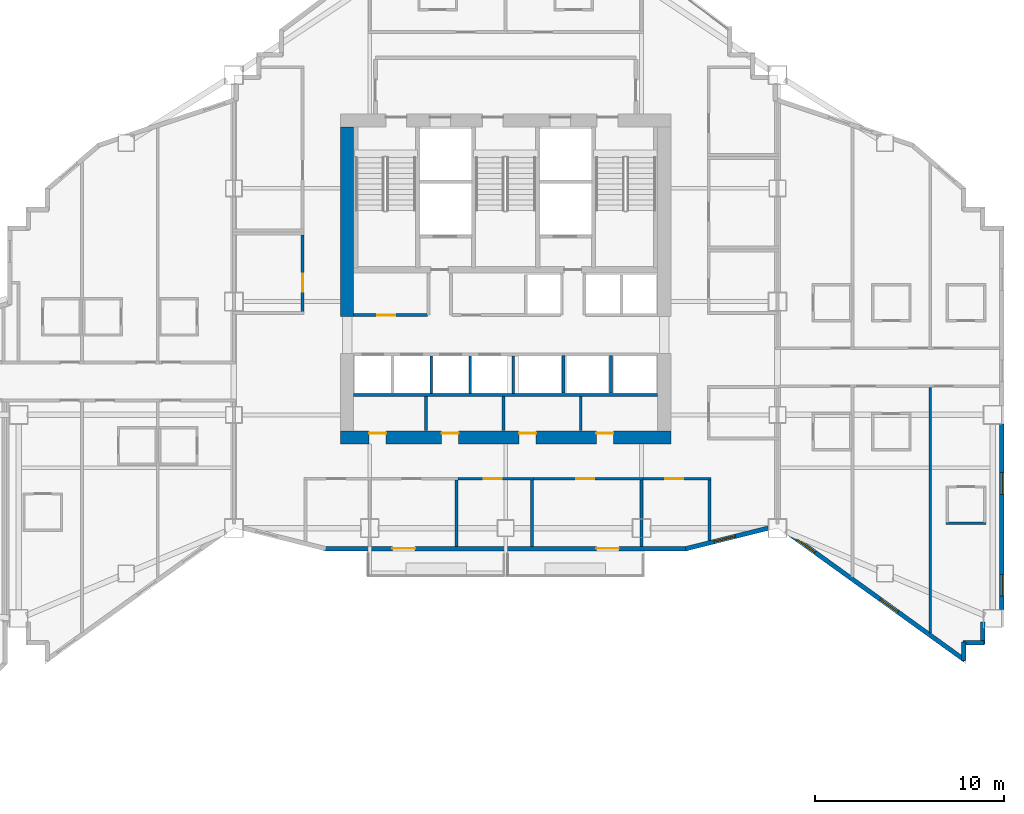
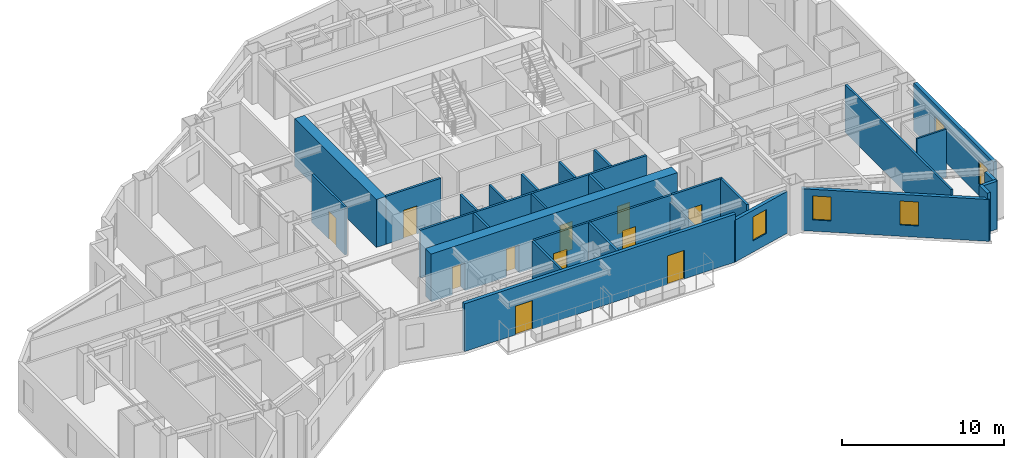
# One storey, part 8 of 14: 29 walls, 11 doors, 5 windows, 16 openings.
"""IFC4 building model written with IfcOpenShell, lengths in metres."""

from ifc_helpers import new_model, si_unit, direction, frame, frame_2d, origin, place, context, subcontext, project, spatial, rectangle, extrude, material, layer, layer_set, type_object, element, fill, save


model = new_model("IFC4")

# Units and contexts
model_context = context("Model", 3, precision=1e-05, world=origin(), true_north=direction((0.0, 1.0)))
body_context = subcontext(model_context, "Body", "Model", "MODEL_VIEW")
ifc_project = project(units=[si_unit("LENGTHUNIT", "METRE"), si_unit("AREAUNIT", "SQUARE_METRE"), si_unit("VOLUMEUNIT", "CUBIC_METRE"), si_unit("PLANEANGLEUNIT", "RADIAN"), si_unit("MASSUNIT", "GRAM", prefix="KILO")], contexts=[model_context])

# Site, building, storey
site_placement = place(None, origin())
site = spatial("IfcSite", under=ifc_project, at=site_placement, CompositionType="ELEMENT")
building_placement = place(site_placement, origin())
building = spatial("IfcBuilding", under=site, at=building_placement, Name="Haolan Belvedere Tower", CompositionType="ELEMENT")
storey_placement = place(building_placement, frame((0.0, 0.0, 121.199951171875)))
storey = spatial("IfcBuildingStorey", under=building, at=storey_placement, Name="L30", CompositionType="ELEMENT", Elevation=121.199951171875)

# Wall, openings, doors
ifc_material_1 = material(Name="Concrete C60/75", Category="concrete")
ifc_layer_1 = layer(ifc_material_1, 0.699951171875, Name="Concrete C60/75")
ifc_layer_set_1 = layer_set([ifc_layer_1], Name="Concrete C60/75")
wall_type_1 = type_object("IfcWallType", Name="WL-CORE-700", PredefinedType="SHEAR", material=ifc_layer_set_1)
wall_1_placement = place(storey_placement, frame((29.64990234375, 26.39990234375, 0.0), z_axis=(0.0, 0.0, 1.0), x_axis=(1.0, 0.0, 0.0)))
wall_1 = element("IfcWall", 1, at=wall_1_placement, inside=storey, type_object=wall_type_1, Name="L30 central core south shear wall", PredefinedType="SHEAR", context=body_context, shape_type="SweptSolid", body=[
    extrude(rectangle(XDim=17.5, YDim=0.699951171875, at=frame_2d((8.75, 0.0))), origin(), (0.0, 0.0, 1.0), 3.60009765625),
])
opening_1_placement = place(wall_1_placement, frame((2.419921875, 0.0, 0.0), z_axis=(0.0, 0.0, 1.0), x_axis=(-1.0, 0.0, 0.0)))
opening_1 = element("IfcOpeningElement", 2, at=opening_1_placement, cuts=wall_1, Name="Opening FD-05", PredefinedType="OPENING", context=body_context, shape_type="SweptSolid", body=[
    extrude(rectangle(XDim=0.89990234375, YDim=2.10009765625, at=frame_2d((0.449951171875, 1.050048828125))), frame((0.0, 0.35986328125, 0.0), z_axis=(0.0, -1.0, 0.0), x_axis=(1.0, 0.0, 0.0)), (0.0, 0.0, 1.0), 0.719970703125),
])
opening_2_placement = place(wall_1_placement, frame((6.260009765625, 0.0, 0.0), z_axis=(0.0, 0.0, 1.0), x_axis=(-1.0, 0.0, 0.0)))
opening_2 = element("IfcOpeningElement", 3, at=opening_2_placement, cuts=wall_1, Name="Opening FD-05", PredefinedType="OPENING", context=body_context, shape_type="SweptSolid", body=[
    extrude(rectangle(XDim=0.89990234375, YDim=2.10009765625, at=frame_2d((0.449951171875, 1.050048828125))), frame((0.0, 0.35986328125, 0.0), z_axis=(0.0, -1.0, 0.0), x_axis=(1.0, 0.0, 0.0)), (0.0, 0.0, 1.0), 0.719970703125),
])
opening_3_placement = place(wall_1_placement, frame((10.35986328125, 0.0, 0.0), z_axis=(0.0, 0.0, 1.0), x_axis=(-1.0, 0.0, 0.0)))
opening_3 = element("IfcOpeningElement", 4, at=opening_3_placement, cuts=wall_1, Name="Opening FD-05", PredefinedType="OPENING", context=body_context, shape_type="SweptSolid", body=[
    extrude(rectangle(XDim=0.89990234375, YDim=2.10009765625, at=frame_2d((0.449951171875, 1.050048828125))), frame((0.0, 0.35986328125, 0.0), z_axis=(0.0, -1.0, 0.0), x_axis=(1.0, 0.0, 0.0)), (0.0, 0.0, 1.0), 0.719970703125),
])
opening_4_placement = place(wall_1_placement, frame((14.4599609375, 0.0, 0.0), z_axis=(0.0, 0.0, 1.0), x_axis=(-1.0, 0.0, 0.0)))
opening_4 = element("IfcOpeningElement", 5, at=opening_4_placement, cuts=wall_1, Name="Opening FD-05", PredefinedType="OPENING", context=body_context, shape_type="SweptSolid", body=[
    extrude(rectangle(XDim=0.89990234375, YDim=2.10009765625, at=frame_2d((0.449951171875, 1.050048828125))), frame((0.0, 0.35986328125, 0.0), z_axis=(0.0, -1.0, 0.0), x_axis=(1.0, 0.0, 0.0)), (0.0, 0.0, 1.0), 0.719970703125),
])
ifc_material_2 = material(Name="Galvanised fire-rated steel", Category="steel")
door_type_1 = type_object("IfcDoorType", Name="DR-FD60-900", OperationType="NOTDEFINED", PredefinedType="DOOR", material=ifc_material_2)
door_1_placement = place(opening_1_placement, origin())
door_1 = element("IfcDoor", 6, at=door_1_placement, inside=storey, type_object=door_type_1, Name="L30 door CD-L30-SCV-1", OperationType="SINGLE_SWING_LEFT", OverallHeight=2.10009765625, OverallWidth=0.89990234375, PredefinedType="DOOR", context=body_context, shape_type="SweptSolid", body=[
    extrude(rectangle(XDim=0.89990234375, YDim=2.10009765625, at=frame_2d((0.449951171875, 1.050048828125))), frame((0.0, -0.19482421875, 0.0), z_axis=(0.0, -1.0, 0.0), x_axis=(1.0, 0.0, 0.0)), (0.0, 0.0, 1.0), 0.050048828125),
])
fill(opening_1, door_1)
door_2_placement = place(opening_2_placement, origin())
door_2 = element("IfcDoor", 7, at=door_2_placement, inside=storey, type_object=door_type_1, Name="L30 door CD-L30-SCV-2", OperationType="SINGLE_SWING_RIGHT", OverallHeight=2.10009765625, OverallWidth=0.89990234375, PredefinedType="DOOR", context=body_context, shape_type="SweptSolid", body=[
    extrude(rectangle(XDim=0.89990234375, YDim=2.10009765625, at=frame_2d((0.449951171875, 1.050048828125))), frame((0.0, -0.19482421875, 0.0), z_axis=(0.0, -1.0, 0.0), x_axis=(1.0, 0.0, 0.0)), (0.0, 0.0, 1.0), 0.050048828125),
])
fill(opening_2, door_2)
door_3_placement = place(opening_3_placement, origin())
door_3 = element("IfcDoor", 8, at=door_3_placement, inside=storey, type_object=door_type_1, Name="L30 door CD-L30-SCV-3", OperationType="SINGLE_SWING_LEFT", OverallHeight=2.10009765625, OverallWidth=0.89990234375, PredefinedType="DOOR", context=body_context, shape_type="SweptSolid", body=[
    extrude(rectangle(XDim=0.89990234375, YDim=2.10009765625, at=frame_2d((0.449951171875, 1.050048828125))), frame((0.0, -0.19482421875, 0.0), z_axis=(0.0, -1.0, 0.0), x_axis=(1.0, 0.0, 0.0)), (0.0, 0.0, 1.0), 0.050048828125),
])
fill(opening_3, door_3)
door_4_placement = place(opening_4_placement, origin())
door_4 = element("IfcDoor", 9, at=door_4_placement, inside=storey, type_object=door_type_1, Name="L30 door CD-L30-SCV-4", OperationType="SINGLE_SWING_RIGHT", OverallHeight=2.10009765625, OverallWidth=0.89990234375, PredefinedType="DOOR", context=body_context, shape_type="SweptSolid", body=[
    extrude(rectangle(XDim=0.89990234375, YDim=2.10009765625, at=frame_2d((0.449951171875, 1.050048828125))), frame((0.0, -0.19482421875, 0.0), z_axis=(0.0, -1.0, 0.0), x_axis=(1.0, 0.0, 0.0)), (0.0, 0.0, 1.0), 0.050048828125),
])
fill(opening_4, door_4)

# Wall
wall_2_placement = place(storey_placement, frame((30.0, 32.800048828125, 0.0), z_axis=(0.0, 0.0, 1.0), x_axis=(0.0, 1.0, 0.0)))
element("IfcWall", 10, at=wall_2_placement, inside=storey, type_object=wall_type_1, Name="L30 central core shear wall WN", PredefinedType="SHEAR", context=body_context, shape_type="SweptSolid", body=[
    extrude(rectangle(XDim=10.050048828125, YDim=0.699951171875, at=frame_2d((5.02490234375, 0.0))), origin(), (0.0, 0.0, 1.0), 3.60009765625),
])

# Wall, openings, doors
ifc_material_3 = material(Name="Precast concrete C40/50", Category="concrete")
ifc_layer_2 = layer(ifc_material_3, 0.239990234375, Name="Precast concrete C40/50")
ifc_layer_set_2 = layer_set([ifc_layer_2], Name="Precast concrete C40/50")
wall_type_2 = type_object("IfcWallType", Name="WL-EXT-240", PredefinedType="SOLIDWALL", material=ifc_layer_set_2)
wall_3_placement = place(storey_placement, frame((28.759765625, 20.52001953125, 0.0), z_axis=(0.0, 0.0, 1.0), x_axis=(1.0, 0.0, 0.0)))
wall_3 = element("IfcWall", 11, at=wall_3_placement, inside=storey, type_object=wall_type_2, Name="L30 pale-metal exterior spandrel wall 7.1", PredefinedType="SOLIDWALL", context=body_context, shape_type="SweptSolid", body=[
    extrude(rectangle(XDim=19.280517578125, YDim=0.239990234375, at=frame_2d((9.64013671875, 0.0))), origin(), (0.0, 0.0, 1.0), 3.60009765625),
])
opening_5_placement = place(wall_3_placement, frame((4.840087890625, 0.0, 0.0), z_axis=(0.0, 0.0, 1.0), x_axis=(-1.0, 0.0, 0.0)))
opening_5 = element("IfcOpeningElement", 12, at=opening_5_placement, cuts=wall_3, Name="Opening BD-01", PredefinedType="OPENING", context=body_context, shape_type="SweptSolid", body=[
    extrude(rectangle(XDim=1.199951171875, YDim=2.14990234375, at=frame_2d((0.60009765625, 1.074951171875))), frame((0.0, 0.1298828125, 0.0), z_axis=(0.0, -1.0, 0.0), x_axis=(1.0, 0.0, 0.0)), (0.0, 0.0, 1.0), 0.260009765625),
])
opening_6_placement = place(wall_3_placement, frame((15.64013671875, 0.0, 0.0), z_axis=(0.0, 0.0, 1.0), x_axis=(-1.0, 0.0, 0.0)))
opening_6 = element("IfcOpeningElement", 13, at=opening_6_placement, cuts=wall_3, Name="Opening BD-01", PredefinedType="OPENING", context=body_context, shape_type="SweptSolid", body=[
    extrude(rectangle(XDim=1.199951171875, YDim=2.14990234375, at=frame_2d((0.60009765625, 1.074951171875))), frame((0.0, 0.1298828125, 0.0), z_axis=(0.0, -1.0, 0.0), x_axis=(1.0, 0.0, 0.0)), (0.0, 0.0, 1.0), 0.260009765625),
])
ifc_material_4 = material(Name="Thermally broken pale-metal aluminium and Low-E glass", Category="aluminium")
door_type_2 = type_object("IfcDoorType", Name="DR-BAL-1200", OperationType="NOTDEFINED", PredefinedType="DOOR", material=ifc_material_4)
door_5_placement = place(opening_5_placement, origin())
door_5 = element("IfcDoor", 14, at=door_5_placement, inside=storey, type_object=door_type_2, Name="L30 tree-balcony access door 1", OperationType="SINGLE_SWING_RIGHT", OverallHeight=2.14990234375, OverallWidth=1.199951171875, PredefinedType="DOOR", context=body_context, shape_type="SweptSolid", body=[
    extrude(rectangle(XDim=1.199951171875, YDim=2.14990234375, at=frame_2d((0.60009765625, 1.074951171875))), frame((0.0, 0.02490234375, 0.0), z_axis=(0.0, -1.0, 0.0), x_axis=(1.0, 0.0, 0.0)), (0.0, 0.0, 1.0), 0.050048828125),
])
fill(opening_5, door_5)
door_6_placement = place(opening_6_placement, origin())
door_6 = element("IfcDoor", 15, at=door_6_placement, inside=storey, type_object=door_type_2, Name="L30 tree-balcony access door 2", OperationType="SINGLE_SWING_LEFT", OverallHeight=2.14990234375, OverallWidth=1.199951171875, PredefinedType="DOOR", context=body_context, shape_type="SweptSolid", body=[
    extrude(rectangle(XDim=1.199951171875, YDim=2.14990234375, at=frame_2d((0.60009765625, 1.074951171875))), frame((0.0, 0.02490234375, 0.0), z_axis=(0.0, -1.0, 0.0), x_axis=(1.0, 0.0, 0.0)), (0.0, 0.0, 1.0), 0.050048828125),
])
fill(opening_6, door_6)

# Wall, opening, window
wall_4_placement = place(storey_placement, frame((47.931884765625, 20.506591796875, 0.0), z_axis=(0.0, 0.0, 1.0), x_axis=(0.970145683738, 0.242522890311, 0.0)))
wall_4 = element("IfcWall", 16, at=wall_4_placement, inside=storey, type_object=wall_type_2, Name="L30 pale-metal exterior spandrel wall 8.1", PredefinedType="SOLIDWALL", context=body_context, shape_type="SweptSolid", body=[
    extrude(rectangle(XDim=4.510986328125, YDim=0.239990234375, at=frame_2d((2.25537109375, 0.0))), origin(), (0.0, 0.0, 1.0), 3.14501953125),
])
opening_7_placement = place(wall_4_placement, frame((1.568603515625, 0.0, 0.85009765625)))
opening_7 = element("IfcOpeningElement", 17, at=opening_7_placement, cuts=wall_4, Name="Opening W-02", PredefinedType="OPENING", context=body_context, shape_type="SweptSolid", body=[
    extrude(rectangle(XDim=1.14990234375, YDim=1.800048828125, at=frame_2d((0.574951171875, 0.89990234375))), frame((0.0, 0.1298828125, 0.0), z_axis=(0.0, -1.0, 0.0), x_axis=(1.0, 0.0, 0.0)), (0.0, 0.0, 1.0), 0.260009765625),
])
ifc_material_5 = material(Name="Anodised aluminium 6063-T6 and Low-E glass", Category="aluminium")
window_type = type_object("IfcWindowType", Name="WN-DECO-Z2", PartitioningType="SINGLE_PANEL", PredefinedType="WINDOW", material=ifc_material_5)
window_1_placement = place(opening_7_placement, origin())
window_1 = element("IfcWindow", 18, at=window_1_placement, inside=storey, type_object=window_type, Name="L30 Art Deco chevron window 1", OverallHeight=1.800048828125, OverallWidth=1.14990234375, PartitioningType="SINGLE_PANEL", PredefinedType="WINDOW", context=body_context, shape_type="SweptSolid", body=[
    extrude(rectangle(XDim=1.14990234375, YDim=1.800048828125, at=frame_2d((0.574951171875, 0.89990234375))), frame((0.0, 0.030029296875, 0.0), z_axis=(0.0, -1.0, 0.0), x_axis=(1.0, 0.0, 0.0)), (0.0, 0.0, 1.0), 0.06005859375),
])
fill(opening_7, window_1)

# Wall, openings, windows
wall_5_placement = place(storey_placement, frame((53.2919921875, 21.3935546875, 0.0), z_axis=(0.0, 0.0, 1.0), x_axis=(0.811543504691, -0.584291998913, 0.0)))
wall_5 = element("IfcWall", 19, at=wall_5_placement, inside=storey, type_object=wall_type_2, Name="L30 pale-metal exterior spandrel wall 9.1", PredefinedType="SOLIDWALL", context=body_context, shape_type="SweptSolid", body=[
    extrude(rectangle(XDim=11.623046875, YDim=0.239990234375, at=frame_2d((5.8115234375, 0.0))), origin(), (0.0, 0.0, 1.0), 3.14501953125),
])
opening_8_placement = place(wall_5_placement, frame((0.699951171875, 0.0, 0.85009765625)))
opening_8 = element("IfcOpeningElement", 20, at=opening_8_placement, cuts=wall_5, Name="Opening W-02", PredefinedType="OPENING", context=body_context, shape_type="SweptSolid", body=[
    extrude(rectangle(XDim=1.14990234375, YDim=1.800048828125, at=frame_2d((0.574951171875, 0.89990234375))), frame((0.0, 0.1298828125, 0.0), z_axis=(0.0, -1.0, 0.0), x_axis=(1.0, 0.0, 0.0)), (0.0, 0.0, 1.0), 0.260009765625),
])
opening_9_placement = place(wall_5_placement, frame((6.10009765625, 0.0, 0.85009765625)))
opening_9 = element("IfcOpeningElement", 21, at=opening_9_placement, cuts=wall_5, Name="Opening W-02", PredefinedType="OPENING", context=body_context, shape_type="SweptSolid", body=[
    extrude(rectangle(XDim=1.14990234375, YDim=1.800048828125, at=frame_2d((0.574951171875, 0.89990234375))), frame((0.0, 0.1298828125, 0.0), z_axis=(0.0, -1.0, 0.0), x_axis=(1.0, 0.0, 0.0)), (0.0, 0.0, 1.0), 0.260009765625),
])
window_2_placement = place(opening_8_placement, origin())
window_2 = element("IfcWindow", 22, at=window_2_placement, inside=storey, type_object=window_type, Name="L30 Art Deco chevron window 1", OverallHeight=1.800048828125, OverallWidth=1.14990234375, PartitioningType="SINGLE_PANEL", PredefinedType="WINDOW", context=body_context, shape_type="SweptSolid", body=[
    extrude(rectangle(XDim=1.14990234375, YDim=1.800048828125, at=frame_2d((0.574951171875, 0.89990234375))), frame((0.0, 0.030029296875, 0.0), z_axis=(0.0, -1.0, 0.0), x_axis=(1.0, 0.0, 0.0)), (0.0, 0.0, 1.0), 0.06005859375),
])
fill(opening_8, window_2)
window_3_placement = place(opening_9_placement, origin())
window_3 = element("IfcWindow", 23, at=window_3_placement, inside=storey, type_object=window_type, Name="L30 Art Deco chevron window 2", OverallHeight=1.800048828125, OverallWidth=1.14990234375, PartitioningType="SINGLE_PANEL", PredefinedType="WINDOW", context=body_context, shape_type="SweptSolid", body=[
    extrude(rectangle(XDim=1.14990234375, YDim=1.800048828125, at=frame_2d((0.574951171875, 0.89990234375))), frame((0.0, 0.030029296875, 0.0), z_axis=(0.0, -1.0, 0.0), x_axis=(1.0, 0.0, 0.0)), (0.0, 0.0, 1.0), 0.06005859375),
])
fill(opening_9, window_3)

# Walls
wall_6_placement = place(storey_placement, frame((62.679931640625, 14.579345703125, 0.0), z_axis=(0.0, 0.0, 1.0), x_axis=(0.0, 1.0, 0.0)))
element("IfcWall", 24, at=wall_6_placement, inside=storey, type_object=wall_type_2, Name="L30 pale-metal exterior spandrel wall 10.1", PredefinedType="SOLIDWALL", context=body_context, shape_type="SweptSolid", body=[
    extrude(rectangle(XDim=0.99560546875, YDim=0.239990234375, at=frame_2d((0.497802734375, 0.0))), origin(), (0.0, 0.0, 1.0), 3.60009765625),
])
wall_7_placement = place(storey_placement, frame((62.625, 15.52001953125, 0.0), z_axis=(0.0, 0.0, 1.0), x_axis=(1.0, 0.0, 0.0)))
element("IfcWall", 25, at=wall_7_placement, inside=storey, type_object=wall_type_2, Name="L30 pale-metal exterior spandrel wall 11.1", PredefinedType="SOLIDWALL", context=body_context, shape_type="SweptSolid", body=[
    extrude(rectangle(XDim=1.110107421875, YDim=0.239990234375, at=frame_2d((0.55517578125, 0.0))), origin(), (0.0, 0.0, 1.0), 3.60009765625),
])
wall_8_placement = place(storey_placement, frame((63.679931640625, 15.465087890625, 0.0), z_axis=(0.0, 0.0, 1.0), x_axis=(0.0, 1.0, 0.0)))
element("IfcWall", 26, at=wall_8_placement, inside=storey, type_object=wall_type_2, Name="L30 pale-metal exterior spandrel wall 12.1", PredefinedType="SOLIDWALL", context=body_context, shape_type="SweptSolid", body=[
    extrude(rectangle(XDim=1.1748046875, YDim=0.239990234375, at=frame_2d((0.58740234375, 0.0))), origin(), (0.0, 0.0, 1.0), 3.60009765625),
])

# Wall, openings, windows
wall_9_placement = place(storey_placement, frame((64.679931640625, 17.2919921875, 0.0), z_axis=(0.0, 0.0, 1.0), x_axis=(0.0, 1.0, 0.0)))
wall_9 = element("IfcWall", 27, at=wall_9_placement, inside=storey, type_object=wall_type_2, Name="L30 pale-metal exterior spandrel wall 14.1", PredefinedType="SOLIDWALL", context=body_context, shape_type="SweptSolid", body=[
    extrude(rectangle(XDim=9.81591796875, YDim=0.239990234375, at=frame_2d((4.907958984375, 0.0))), origin(), (0.0, 0.0, 1.0), 3.60009765625),
])
opening_10_placement = place(wall_9_placement, frame((0.699951171875, 0.0, 0.85009765625)))
opening_10 = element("IfcOpeningElement", 28, at=opening_10_placement, cuts=wall_9, Name="Opening W-02", PredefinedType="OPENING", context=body_context, shape_type="SweptSolid", body=[
    extrude(rectangle(XDim=1.14990234375, YDim=1.800048828125, at=frame_2d((0.574951171875, 0.89990234375))), frame((0.0, 0.1298828125, 0.0), z_axis=(0.0, -1.0, 0.0), x_axis=(1.0, 0.0, 0.0)), (0.0, 0.0, 1.0), 0.260009765625),
])
opening_11_placement = place(wall_9_placement, frame((6.10009765625, 0.0, 0.85009765625)))
opening_11 = element("IfcOpeningElement", 29, at=opening_11_placement, cuts=wall_9, Name="Opening W-02", PredefinedType="OPENING", context=body_context, shape_type="SweptSolid", body=[
    extrude(rectangle(XDim=1.14990234375, YDim=1.800048828125, at=frame_2d((0.574951171875, 0.89990234375))), frame((0.0, 0.1298828125, 0.0), z_axis=(0.0, -1.0, 0.0), x_axis=(1.0, 0.0, 0.0)), (0.0, 0.0, 1.0), 0.260009765625),
])
window_4_placement = place(opening_10_placement, origin())
window_4 = element("IfcWindow", 30, at=window_4_placement, inside=storey, type_object=window_type, Name="L30 Art Deco chevron window 1", OverallHeight=1.800048828125, OverallWidth=1.14990234375, PartitioningType="SINGLE_PANEL", PredefinedType="WINDOW", context=body_context, shape_type="SweptSolid", body=[
    extrude(rectangle(XDim=1.14990234375, YDim=1.800048828125, at=frame_2d((0.574951171875, 0.89990234375))), frame((0.0, 0.030029296875, 0.0), z_axis=(0.0, -1.0, 0.0), x_axis=(1.0, 0.0, 0.0)), (0.0, 0.0, 1.0), 0.06005859375),
])
fill(opening_10, window_4)
window_5_placement = place(opening_11_placement, origin())
window_5 = element("IfcWindow", 31, at=window_5_placement, inside=storey, type_object=window_type, Name="L30 Art Deco chevron window 2", OverallHeight=1.800048828125, OverallWidth=1.14990234375, PartitioningType="SINGLE_PANEL", PredefinedType="WINDOW", context=body_context, shape_type="SweptSolid", body=[
    extrude(rectangle(XDim=1.14990234375, YDim=1.800048828125, at=frame_2d((0.574951171875, 0.89990234375))), frame((0.0, 0.030029296875, 0.0), z_axis=(0.0, -1.0, 0.0), x_axis=(1.0, 0.0, 0.0)), (0.0, 0.0, 1.0), 0.06005859375),
])
fill(opening_11, window_5)

# Walls
ifc_material_6 = material(Name="Double gypsum acoustic stud partition", Category="masonry")
ifc_layer_3 = layer(ifc_material_6, 0.14990234375, Name="Double gypsum acoustic stud partition")
ifc_layer_set_3 = layer_set([ifc_layer_3], Name="Double gypsum acoustic stud partition")
wall_type_3 = type_object("IfcWallType", Name="WL-PART-150", PredefinedType="PARTITIONING", material=ifc_layer_set_3)
wall_10_placement = place(storey_placement, frame((30.35009765625, 28.659912109375, 0.0), z_axis=(0.0, 0.0, 1.0), x_axis=(1.0, 0.0, 0.0)))
element("IfcWall", 32, at=wall_10_placement, inside=storey, type_object=wall_type_3, Name="L30 interior partition IW-L30-SSTRIP-N", PredefinedType="PARTITIONING", context=body_context, shape_type="SweptSolid", body=[
    extrude(rectangle(XDim=16.099853515625, YDim=0.14990234375, at=frame_2d((8.0498046875, 0.0))), origin(), (0.0, 0.0, 1.0), 3.60009765625),
])
for number, where, z_axis, x_axis, name in (
    (33, (34.179931640625, 26.760009765625, 0.0), (0.0, 0.0, 1.0), (0.0, 1.0, 0.0), "L30 interior partition IW-L30-SCV-DIV-1"),
    (34, (38.280029296875, 26.760009765625, 0.0), (0.0, 0.0, 1.0), (0.0, 1.0, 0.0), "L30 interior partition IW-L30-SCV-DIV-2"),
    (35, (42.3798828125, 26.760009765625, 0.0), (0.0, 0.0, 1.0), (0.0, 1.0, 0.0), "L30 interior partition IW-L30-SCV-DIV-3"),
):
    element("IfcWall", number, at=place(storey_placement, frame(where, z_axis=z_axis, x_axis=x_axis)), inside=storey, type_object=wall_type_3, Name=name, PredefinedType="PARTITIONING", context=body_context, shape_type="SweptSolid", body=[
        extrude(rectangle(XDim=1.820068359375, YDim=0.14990234375, at=frame_2d((0.91015625, 0.0))), origin(), (0.0, 0.0, 1.0), 3.60009765625),
    ])

# Wall, opening, door
wall_11_placement = place(storey_placement, frame((27.639892578125, 33.06005859375, 0.0), z_axis=(0.0, 0.0, 1.0), x_axis=(0.0, 1.0, 0.0)))
wall_11 = element("IfcWall", 36, at=wall_11_placement, inside=storey, type_object=wall_type_3, Name="L30 interior partition IW-L30-HSK-E", PredefinedType="PARTITIONING", context=body_context, shape_type="SweptSolid", body=[
    extrude(rectangle(XDim=4.079833984375, YDim=0.14990234375, at=frame_2d((2.0400390625, 0.0))), origin(), (0.0, 0.0, 1.0), 3.60009765625),
])
opening_12_placement = place(wall_11_placement, frame((2.010009765625, 0.0, 0.0), z_axis=(0.0, 0.0, 1.0), x_axis=(-1.0, 0.0, 0.0)))
opening_12 = element("IfcOpeningElement", 37, at=opening_12_placement, cuts=wall_11, Name="Opening ID-03", PredefinedType="OPENING", context=body_context, shape_type="SweptSolid", body=[
    extrude(rectangle(XDim=0.949951171875, YDim=2.1201171875, at=frame_2d((0.47509765625, 1.06005859375))), frame((0.0, 0.0849609375, 0.0), z_axis=(0.0, -1.0, 0.0), x_axis=(1.0, 0.0, 0.0)), (0.0, 0.0, 1.0), 0.169921875),
])
ifc_material_7 = material(Name="Painted solid-core timber", Category="wood")
door_type_3 = type_object("IfcDoorType", Name="DR-INT-950", OperationType="NOTDEFINED", PredefinedType="DOOR", material=ifc_material_7)
door_7_placement = place(opening_12_placement, origin())
door_7 = element("IfcDoor", 38, at=door_7_placement, inside=storey, type_object=door_type_3, Name="L30 door ID-L30-HSK", OperationType="SINGLE_SWING_LEFT", OverallHeight=2.1201171875, OverallWidth=0.949951171875, PredefinedType="DOOR", context=body_context, shape_type="SweptSolid", body=[
    extrude(rectangle(XDim=0.949951171875, YDim=2.1201171875, at=frame_2d((0.47509765625, 1.06005859375))), frame((0.0, 0.02490234375, 0.0), z_axis=(0.0, -1.0, 0.0), x_axis=(1.0, 0.0, 0.0)), (0.0, 0.0, 1.0), 0.050048828125),
])
fill(opening_12, door_7)

# Wall
wall_12_placement = place(storey_placement, frame((35.800048828125, 20.625, 0.0), z_axis=(0.0, 0.0, 1.0), x_axis=(0.0, 1.0, 0.0)))
element("IfcWall", 39, at=wall_12_placement, inside=storey, type_object=wall_type_3, Name="L30 interior partition IW-L30-KS3-E", PredefinedType="PARTITIONING", context=body_context, shape_type="SweptSolid", body=[
    extrude(rectangle(XDim=3.534912109375, YDim=0.14990234375, at=frame_2d((1.767578125, 0.0))), origin(), (0.0, 0.0, 1.0), 3.60009765625),
])

# Wall, opening, door
wall_13_placement = place(storey_placement, frame((35.882080078125, 24.219970703125, 0.0), z_axis=(0.0, 0.0, 1.0), x_axis=(1.0, 0.0, 0.0)))
wall_13 = element("IfcWall", 40, at=wall_13_placement, inside=storey, type_object=wall_type_3, Name="L30 interior partition IW-L30-KS4-N", PredefinedType="PARTITIONING", context=body_context, shape_type="SweptSolid", body=[
    extrude(rectangle(XDim=3.997802734375, YDim=0.14990234375, at=frame_2d((1.9990234375, 0.0))), origin(), (0.0, 0.0, 1.0), 3.60009765625),
])
opening_13_placement = place(wall_13_placement, frame((2.31298828125, 0.0, 0.0), z_axis=(0.0, 0.0, 1.0), x_axis=(-1.0, 0.0, 0.0)))
opening_13 = element("IfcOpeningElement", 41, at=opening_13_placement, cuts=wall_13, Name="Opening ID-03", PredefinedType="OPENING", context=body_context, shape_type="SweptSolid", body=[
    extrude(rectangle(XDim=0.949951171875, YDim=2.1201171875, at=frame_2d((0.47509765625, 1.06005859375))), frame((0.0, 0.0849609375, 0.0), z_axis=(0.0, -1.0, 0.0), x_axis=(1.0, 0.0, 0.0)), (0.0, 0.0, 1.0), 0.169921875),
])
door_8_placement = place(opening_13_placement, origin())
door_8 = element("IfcDoor", 42, at=door_8_placement, inside=storey, type_object=door_type_3, Name="L30 door ID-L30-KS4", OperationType="SINGLE_SWING_LEFT", OverallHeight=2.1201171875, OverallWidth=0.949951171875, PredefinedType="DOOR", context=body_context, shape_type="SweptSolid", body=[
    extrude(rectangle(XDim=0.949951171875, YDim=2.1201171875, at=frame_2d((0.47509765625, 1.06005859375))), frame((0.0, 0.02490234375, 0.0), z_axis=(0.0, -1.0, 0.0), x_axis=(1.0, 0.0, 0.0)), (0.0, 0.0, 1.0), 0.050048828125),
])
fill(opening_13, door_8)

# Wall
wall_14_placement = place(storey_placement, frame((39.800048828125, 20.625, 0.0), z_axis=(0.0, 0.0, 1.0), x_axis=(0.0, 1.0, 0.0)))
element("IfcWall", 43, at=wall_14_placement, inside=storey, type_object=wall_type_3, Name="L30 interior partition IW-L30-KS4-E", PredefinedType="PARTITIONING", context=body_context, shape_type="SweptSolid", body=[
    extrude(rectangle(XDim=3.534912109375, YDim=0.14990234375, at=frame_2d((1.767578125, 0.0))), origin(), (0.0, 0.0, 1.0), 3.60009765625),
])

# Wall, opening, door
wall_15_placement = place(storey_placement, frame((39.882080078125, 24.219970703125, 0.0), z_axis=(0.0, 0.0, 1.0), x_axis=(1.0, 0.0, 0.0)))
wall_15 = element("IfcWall", 44, at=wall_15_placement, inside=storey, type_object=wall_type_3, Name="L30 interior partition IW-L30-KS5-N", PredefinedType="PARTITIONING", context=body_context, shape_type="SweptSolid", body=[
    extrude(rectangle(XDim=5.7978515625, YDim=0.14990234375, at=frame_2d((2.89892578125, 0.0))), origin(), (0.0, 0.0, 1.0), 3.60009765625),
])
opening_14_placement = place(wall_15_placement, frame((3.212890625, 0.0, 0.0), z_axis=(0.0, 0.0, 1.0), x_axis=(-1.0, 0.0, 0.0)))
opening_14 = element("IfcOpeningElement", 45, at=opening_14_placement, cuts=wall_15, Name="Opening ID-03", PredefinedType="OPENING", context=body_context, shape_type="SweptSolid", body=[
    extrude(rectangle(XDim=0.949951171875, YDim=2.1201171875, at=frame_2d((0.47509765625, 1.06005859375))), frame((0.0, 0.0849609375, 0.0), z_axis=(0.0, -1.0, 0.0), x_axis=(1.0, 0.0, 0.0)), (0.0, 0.0, 1.0), 0.169921875),
])
door_9_placement = place(opening_14_placement, origin())
door_9 = element("IfcDoor", 46, at=door_9_placement, inside=storey, type_object=door_type_3, Name="L30 door ID-L30-KS5", OperationType="SINGLE_SWING_RIGHT", OverallHeight=2.1201171875, OverallWidth=0.949951171875, PredefinedType="DOOR", context=body_context, shape_type="SweptSolid", body=[
    extrude(rectangle(XDim=0.949951171875, YDim=2.1201171875, at=frame_2d((0.47509765625, 1.06005859375))), frame((0.0, 0.02490234375, 0.0), z_axis=(0.0, -1.0, 0.0), x_axis=(1.0, 0.0, 0.0)), (0.0, 0.0, 1.0), 0.050048828125),
])
fill(opening_14, door_9)

# Wall
wall_16_placement = place(storey_placement, frame((45.60009765625, 20.625, 0.0), z_axis=(0.0, 0.0, 1.0), x_axis=(0.0, 1.0, 0.0)))
element("IfcWall", 47, at=wall_16_placement, inside=storey, type_object=wall_type_3, Name="L30 interior partition IW-L30-KS5-E", PredefinedType="PARTITIONING", context=body_context, shape_type="SweptSolid", body=[
    extrude(rectangle(XDim=3.534912109375, YDim=0.14990234375, at=frame_2d((1.767578125, 0.0))), origin(), (0.0, 0.0, 1.0), 3.0849609375),
])

# Wall, opening, door
wall_17_placement = place(storey_placement, frame((45.681884765625, 24.219970703125, 0.0), z_axis=(0.0, 0.0, 1.0), x_axis=(1.0, 0.0, 0.0)))
wall_17 = element("IfcWall", 48, at=wall_17_placement, inside=storey, type_object=wall_type_3, Name="L30 interior partition IW-L30-KS6-N", PredefinedType="PARTITIONING", context=body_context, shape_type="SweptSolid", body=[
    extrude(rectangle(XDim=3.59814453125, YDim=0.14990234375, at=frame_2d((1.799072265625, 0.0))), origin(), (0.0, 0.0, 1.0), 3.60009765625),
])
opening_15_placement = place(wall_17_placement, frame((2.113037109375, 0.0, 0.0), z_axis=(0.0, 0.0, 1.0), x_axis=(-1.0, 0.0, 0.0)))
opening_15 = element("IfcOpeningElement", 49, at=opening_15_placement, cuts=wall_17, Name="Opening ID-03", PredefinedType="OPENING", context=body_context, shape_type="SweptSolid", body=[
    extrude(rectangle(XDim=0.949951171875, YDim=2.1201171875, at=frame_2d((0.47509765625, 1.06005859375))), frame((0.0, 0.0849609375, 0.0), z_axis=(0.0, -1.0, 0.0), x_axis=(1.0, 0.0, 0.0)), (0.0, 0.0, 1.0), 0.169921875),
])
door_10_placement = place(opening_15_placement, origin())
door_10 = element("IfcDoor", 50, at=door_10_placement, inside=storey, type_object=door_type_3, Name="L30 door ID-L30-KS6", OperationType="SINGLE_SWING_LEFT", OverallHeight=2.1201171875, OverallWidth=0.949951171875, PredefinedType="DOOR", context=body_context, shape_type="SweptSolid", body=[
    extrude(rectangle(XDim=0.949951171875, YDim=2.1201171875, at=frame_2d((0.47509765625, 1.06005859375))), frame((0.0, 0.02490234375, 0.0), z_axis=(0.0, -1.0, 0.0), x_axis=(1.0, 0.0, 0.0)), (0.0, 0.0, 1.0), 0.050048828125),
])
fill(opening_15, door_10)

# Walls
wall_18_placement = place(storey_placement, frame((49.199951171875, 20.931884765625, 0.0), z_axis=(0.0, 0.0, 1.0), x_axis=(0.0, 1.0, 0.0)))
element("IfcWall", 51, at=wall_18_placement, inside=storey, type_object=wall_type_3, Name="L30 interior partition IW-L30-KS6-E", PredefinedType="PARTITIONING", context=body_context, shape_type="SweptSolid", body=[
    extrude(rectangle(XDim=3.22802734375, YDim=0.14990234375, at=frame_2d((1.614013671875, 0.0))), origin(), (0.0, 0.0, 1.0), 3.60009765625),
])
wall_19_placement = place(storey_placement, frame((60.889892578125, 16.052490234375, 0.0), z_axis=(0.0, 0.0, 1.0), x_axis=(0.0, 1.0, 0.0)))
element("IfcWall", 52, at=wall_19_placement, inside=storey, type_object=wall_type_3, Name="L30 interior partition IW-L30-T4S2-E", PredefinedType="PARTITIONING", context=body_context, shape_type="SweptSolid", body=[
    extrude(rectangle(XDim=13.007568359375, YDim=0.14990234375, at=frame_2d((6.50390625, 0.0))), origin(), (0.0, 0.0, 1.0), 3.60009765625),
])

# Wall, opening, door
ifc_material_8 = material(Name="Gypsum fire shaftwall assembly", Category="masonry")
ifc_layer_4 = layer(ifc_material_8, 0.1650390625, Name="Gypsum fire shaftwall assembly")
ifc_layer_set_4 = layer_set([ifc_layer_4], Name="Gypsum fire shaftwall assembly")
wall_type_4 = type_object("IfcWallType", Name="WL-SHAFT-160", PredefinedType="SOLIDWALL", material=ifc_layer_set_4)
wall_20_placement = place(storey_placement, frame((30.35009765625, 32.8798828125, 0.0), z_axis=(0.0, 0.0, 1.0), x_axis=(1.0, 0.0, 0.0)))
wall_20 = element("IfcWall", 53, at=wall_20_placement, inside=storey, type_object=wall_type_4, Name="L30 interior partition IW-L30-ROW-PN1", PredefinedType="SOLIDWALL", context=body_context, shape_type="SweptSolid", body=[
    extrude(rectangle(XDim=3.89990234375, YDim=0.159912109375, at=frame_2d((1.949951171875, 0.0))), origin(), (0.0, 0.0, 1.0), 3.60009765625),
])
opening_16_placement = place(wall_20_placement, frame((2.199951171875, 0.0, 0.0), z_axis=(0.0, 0.0, 1.0), x_axis=(-1.0, 0.0, 0.0)))
opening_16 = element("IfcOpeningElement", 54, at=opening_16_placement, cuts=wall_20, Name="Opening ID-03", PredefinedType="OPENING", context=body_context, shape_type="SweptSolid", body=[
    extrude(rectangle(XDim=0.949951171875, YDim=2.1201171875, at=frame_2d((0.47509765625, 1.06005859375))), frame((0.0, 0.08984375, 0.0), z_axis=(0.0, -1.0, 0.0), x_axis=(1.0, 0.0, 0.0)), (0.0, 0.0, 1.0), 0.179931640625),
])
door_11_placement = place(opening_16_placement, origin())
door_11 = element("IfcDoor", 55, at=door_11_placement, inside=storey, type_object=door_type_3, Name="L30 door ID-L30-CD-RPLW", OperationType="SINGLE_SWING_LEFT", OverallHeight=2.1201171875, OverallWidth=0.949951171875, PredefinedType="DOOR", context=body_context, shape_type="SweptSolid", body=[
    extrude(rectangle(XDim=0.949951171875, YDim=2.1201171875, at=frame_2d((0.47509765625, 1.06005859375))), frame((0.0, 0.02490234375, 0.0), z_axis=(0.0, -1.0, 0.0), x_axis=(1.0, 0.0, 0.0)), (0.0, 0.0, 1.0), 0.050048828125),
])
fill(opening_16, door_11)

# Walls
for number, where, z_axis, x_axis, name in (
    (56, (34.4599609375, 28.735107421875, 0.0), (0.0, 0.0, 1.0), (0.0, 1.0, 0.0), "L30 interior partition IW-L30-DIV-PM2"),
    (57, (36.52001953125, 28.735107421875, 0.0), (0.0, 0.0, 1.0), (0.0, 1.0, 0.0), "L30 interior partition IW-L30-DIV-PM3"),
    (58, (38.800048828125, 28.735107421875, 0.0), (0.0, 0.0, 1.0), (0.0, 1.0, 0.0), "L30 interior partition IW-L30-DIV-PM4"),
):
    element("IfcWall", number, at=place(storey_placement, frame(where, z_axis=z_axis, x_axis=x_axis)), inside=storey, type_object=wall_type_4, Name=name, PredefinedType="SOLIDWALL", context=body_context, shape_type="SweptSolid", body=[
        extrude(rectangle(XDim=1.98486328125, YDim=0.14990234375, at=frame_2d((0.992431640625, 0.0))), origin(), (0.0, 0.0, 1.0), 3.60009765625),
    ])
for number, where, z_axis, x_axis, name in (
    (59, (41.469970703125, 28.75, 0.0), (0.0, 0.0, 1.0), (0.0, 1.0, 0.0), "L30 interior partition IW-L30-DIV-OB1"),
    (60, (43.97998046875, 28.75, 0.0), (0.0, 0.0, 1.0), (0.0, 1.0, 0.0), "L30 interior partition IW-L30-DIV-OB2"),
):
    element("IfcWall", number, at=place(storey_placement, frame(where, z_axis=z_axis, x_axis=x_axis)), inside=storey, type_object=wall_type_4, Name=name, PredefinedType="SOLIDWALL", context=body_context, shape_type="SweptSolid", body=[
        extrude(rectangle(XDim=1.985107421875, YDim=0.14990234375, at=frame_2d((0.99267578125, 0.0))), origin(), (0.0, 0.0, 1.0), 3.60009765625),
    ])
ifc_material_9 = material(Name="Moisture-resistant gypsum tile partition", Category="masonry")
ifc_layer_5 = layer(ifc_material_9, 0.1201171875, Name="Moisture-resistant gypsum tile partition")
ifc_layer_set_5 = layer_set([ifc_layer_5], Name="Moisture-resistant gypsum tile partition")
wall_type_5 = type_object("IfcWallType", Name="WL-WET-120", PredefinedType="PARTITIONING", material=ifc_layer_set_5)
wall_21_placement = place(storey_placement, frame((61.737060546875, 21.864990234375, 0.0), z_axis=(0.0, 0.0, 1.0), x_axis=(1.0, 0.0, 0.0)))
element("IfcWall", 61, at=wall_21_placement, inside=storey, type_object=wall_type_5, Name="L30 interior partition IW-L30-T4S3-BS", PredefinedType="PARTITIONING", context=body_context, shape_type="SweptSolid", body=[
    extrude(rectangle(XDim=2.099853515625, YDim=0.1201171875, at=frame_2d((1.0498046875, 0.0))), origin(), (0.0, 0.0, 1.0), 3.60009765625),
])

save(model, "model.ifc")
